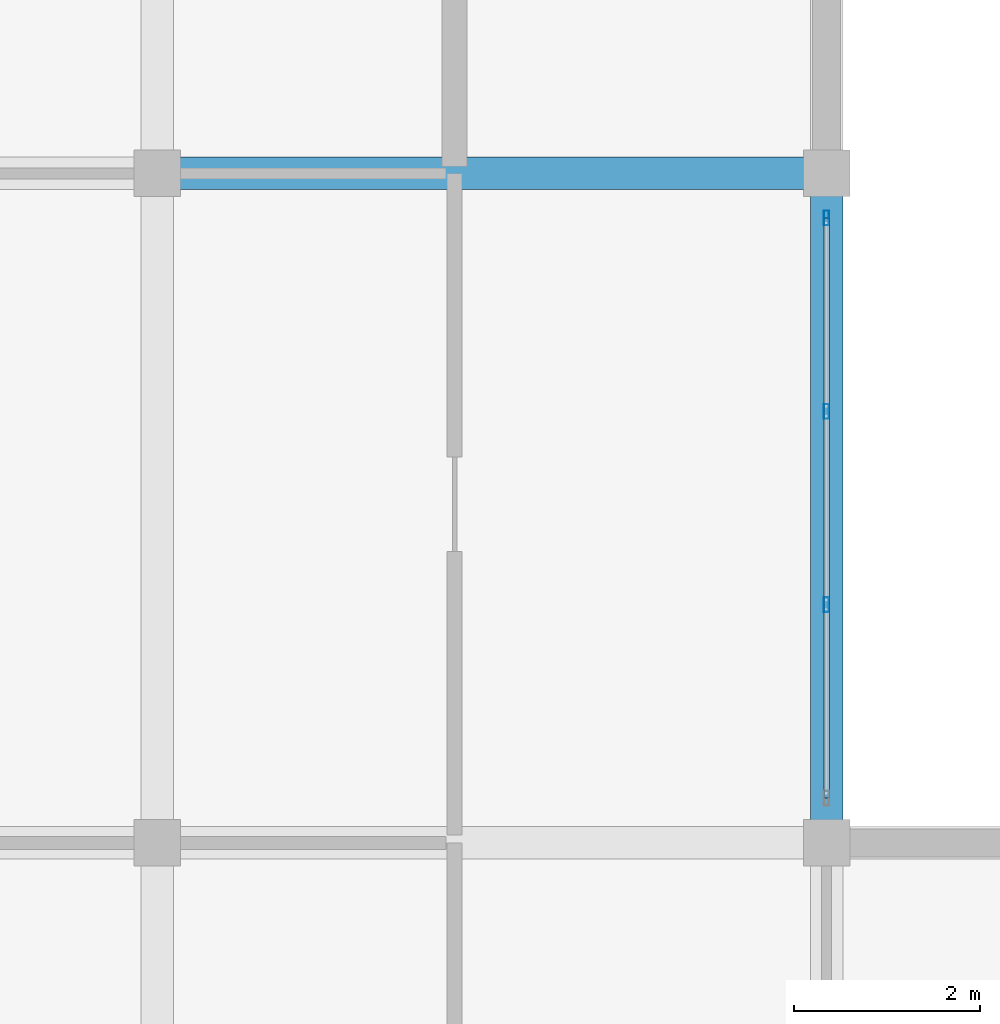
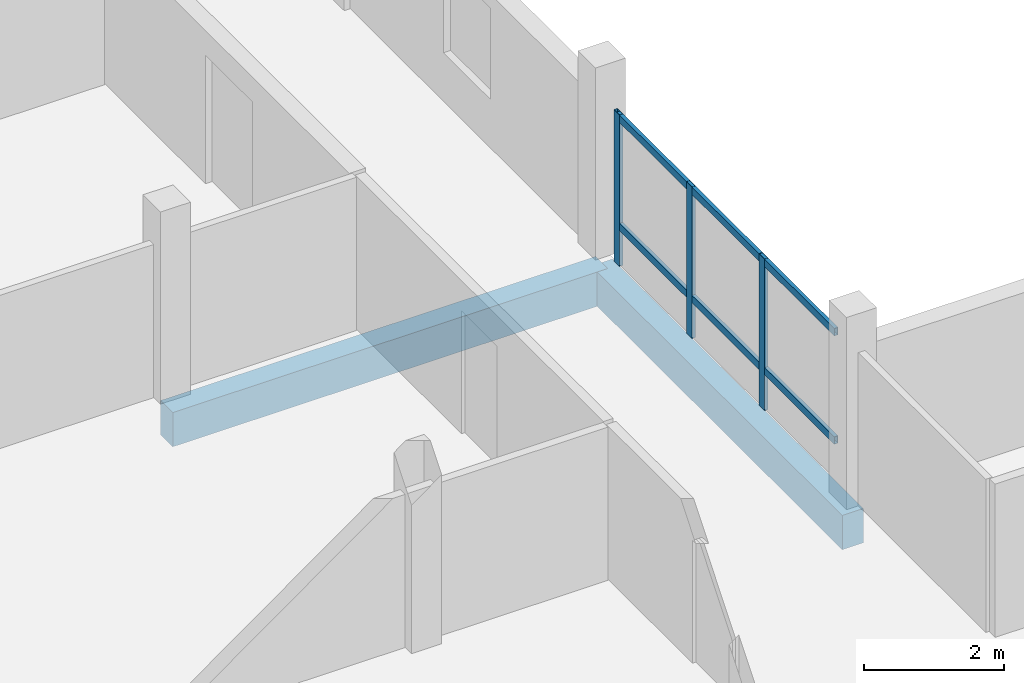
# One storey, part 6 of 18: 5 members, 2 beams, 1 element without a shape of its own.
"""IFC4 building model written with IfcOpenShell, lengths in metres."""

from ifc_helpers import new_model, si_unit, direction, frame, origin, origin_2d, place, context, subcontext, project, spatial, rectangle, hollow_rectangle, extrude, material, material_profile, profile_set, type_object, element, aggregate, save


model = new_model("IFC4")

# Units and contexts
model_context = context("Model", 3, precision=1e-05, world=origin(), true_north=direction((0.0, 1.0)))
body_context = subcontext(model_context, "Body", "Model", "MODEL_VIEW")
ifc_project = project(units=[si_unit("LENGTHUNIT", "METRE"), si_unit("AREAUNIT", "SQUARE_METRE"), si_unit("VOLUMEUNIT", "CUBIC_METRE"), si_unit("PLANEANGLEUNIT", "RADIAN"), si_unit("MASSUNIT", "GRAM", prefix="KILO")], contexts=[model_context])

# Site, building, storey
site_placement = place(None, origin())
site = spatial("IfcSite", under=ifc_project, at=site_placement, CompositionType="ELEMENT")
building_placement = place(site_placement, origin())
building = spatial("IfcBuilding", under=site, at=building_placement, Name="Zornivar Specialist Clinic", CompositionType="ELEMENT")
storey_placement = place(building_placement, frame((0.0, 0.0, 23.39990234375)))
storey = spatial("IfcBuildingStorey", under=building, at=storey_placement, Name="L06", CompositionType="ELEMENT", Elevation=23.39990234375)

# Beams
ifc_material_1 = material(Name="Concrete C30/37", Category="concrete")
ifc_material_profile_1 = material_profile(ifc_material_1, rectangle(XDim=0.35009765625, YDim=0.60009765625, at=origin_2d()), Name="RC 350x600")
ifc_profile_set_1 = profile_set([ifc_material_profile_1], Name="Concrete C30/37")
beam_type = type_object("IfcBeamType", Name="BM-RC-350x600", PredefinedType="BEAM", material=ifc_profile_set_1)
beam_1_placement = place(storey_placement, frame((7.199951171875, 21.60009765625, -0.579833984375), z_axis=(1.0, 0.0, 0.0), x_axis=(0.0, 1.0, 0.0)))
element("IfcBeam", 1, at=beam_1_placement, inside=storey, type_object=beam_type, Name="bm:V2:L06:x:216:1", PredefinedType="BEAM", context=body_context, shape_type="SweptSolid", body=[
    extrude(rectangle(XDim=0.35009765625, YDim=0.60009765625, at=origin_2d()), origin(), (0.0, 0.0, 1.0), 7.199951171875),
])
beam_2_placement = place(storey_placement, frame((14.39990234375, 14.39990234375, -0.579833984375), z_axis=(0.0, 1.0, 0.0), x_axis=(-1.0, 0.0, 0.0)))
element("IfcBeam", 2, at=beam_2_placement, inside=storey, type_object=beam_type, Name="bm:V2:L06:y:144:2", PredefinedType="BEAM", context=body_context, shape_type="SweptSolid", body=[
    extrude(rectangle(XDim=0.35009765625, YDim=0.60009765625, at=origin_2d()), origin(), (0.0, 0.0, 1.0), 7.2001953125),
])

# Curtain wall, members
ifc_material_2 = material(Name="Aluminium and Low-E Glass Curtain Wall", Category="aluminium")
curtain_wall_type = type_object("IfcCurtainWallType", Name="CW-REVAK-COURT", PredefinedType="NOTDEFINED", material=ifc_material_2)
curtain_wall_placement = place(storey_placement, origin())
curtain_wall = element("IfcCurtainWall", 3, at=curtain_wall_placement, inside=storey, type_object=curtain_wall_type, Name="cw:V2:L06:08", PredefinedType="NOTDEFINED")
ifc_material_3 = material(Name="Aluminium AW-6060", Category="aluminium")
ifc_material_profile_2 = material_profile(ifc_material_3, hollow_rectangle(XDim=0.06005859375, YDim=0.159912109375, WallThickness=0.00390625, at=origin_2d()), Name="ALU 60x160x4")
ifc_profile_set_2 = profile_set([ifc_material_profile_2], Name="Aluminium AW-6060")
member_type_1 = type_object("IfcMemberType", Name="CWM-MUL-160", PredefinedType="MULLION", material=ifc_profile_set_2)
member_1_placement = place(storey_placement, frame((14.39990234375, 16.9599609375, 0.0), z_axis=(0.0, 0.0, 1.0), x_axis=(1.0, 0.0, 0.0)))
member_1 = element("IfcMember", 4, at=member_1_placement, type_object=member_type_1, Name="cw:V2:L06:08:mul:1", PredefinedType="MULLION", context=body_context, shape_type="SweptSolid", body=[
    extrude(hollow_rectangle(XDim=0.06005859375, YDim=0.159912109375, WallThickness=0.00390625, at=origin_2d()), origin(), (0.0, 0.0, 1.0), 2.650146484375),
])
member_2_placement = place(storey_placement, frame((14.39990234375, 19.0400390625, 0.0), z_axis=(0.0, 0.0, 1.0), x_axis=(1.0, 0.0, 0.0)))
member_2 = element("IfcMember", 5, at=member_2_placement, type_object=member_type_1, Name="cw:V2:L06:08:mul:2", PredefinedType="MULLION", context=body_context, shape_type="SweptSolid", body=[
    extrude(hollow_rectangle(XDim=0.06005859375, YDim=0.159912109375, WallThickness=0.00390625, at=origin_2d()), origin(), (0.0, 0.0, 1.0), 2.650146484375),
])
member_3_placement = place(storey_placement, frame((14.39990234375, 21.1201171875, 0.0), z_axis=(0.0, 0.0, 1.0), x_axis=(1.0, 0.0, 0.0)))
member_3 = element("IfcMember", 6, at=member_3_placement, type_object=member_type_1, Name="cw:V2:L06:08:mul:3", PredefinedType="MULLION", context=body_context, shape_type="SweptSolid", body=[
    extrude(hollow_rectangle(XDim=0.06005859375, YDim=0.159912109375, WallThickness=0.00390625, at=origin_2d()), origin(), (0.0, 0.0, 1.0), 2.650146484375),
])
ifc_material_4 = material(Name="Aluminium AW-6060", Category="aluminium")
ifc_material_profile_3 = material_profile(ifc_material_4, hollow_rectangle(XDim=0.06005859375, YDim=0.1298828125, WallThickness=0.00390625, at=origin_2d()), Name="ALU 60x130x4")
ifc_profile_set_3 = profile_set([ifc_material_profile_3], Name="Aluminium AW-6060")
member_type_2 = type_object("IfcMemberType", Name="CWM-TRN-130", PredefinedType="USERDEFINED", material=ifc_profile_set_3)
member_4_placement = place(storey_placement, frame((14.39990234375, 14.8798828125, 0.689208984375), z_axis=(0.0, 1.0, 0.0), x_axis=(-1.0, 0.0, 0.0)))
member_4 = element("IfcMember", 7, at=member_4_placement, type_object=member_type_2, Name="cw:V2:L06:08:trn:0", ObjectType="TRANSOM", PredefinedType="USERDEFINED", context=body_context, shape_type="SweptSolid", body=[
    extrude(hollow_rectangle(XDim=0.06005859375, YDim=0.1298828125, WallThickness=0.00390625, at=origin_2d()), origin(), (0.0, 0.0, 1.0), 6.240234375),
])
member_5_placement = place(storey_placement, frame((14.39990234375, 14.8798828125, 2.585205078125), z_axis=(0.0, 1.0, 0.0), x_axis=(-1.0, 0.0, 0.0)))
member_5 = element("IfcMember", 8, at=member_5_placement, type_object=member_type_2, Name="cw:V2:L06:08:trn:1", ObjectType="TRANSOM", PredefinedType="USERDEFINED", context=body_context, shape_type="SweptSolid", body=[
    extrude(hollow_rectangle(XDim=0.06005859375, YDim=0.1298828125, WallThickness=0.00390625, at=origin_2d()), origin(), (0.0, 0.0, 1.0), 6.240234375),
])
aggregate(curtain_wall, [member_1, member_2, member_3, member_4, member_5])

save(model, "model.ifc")
